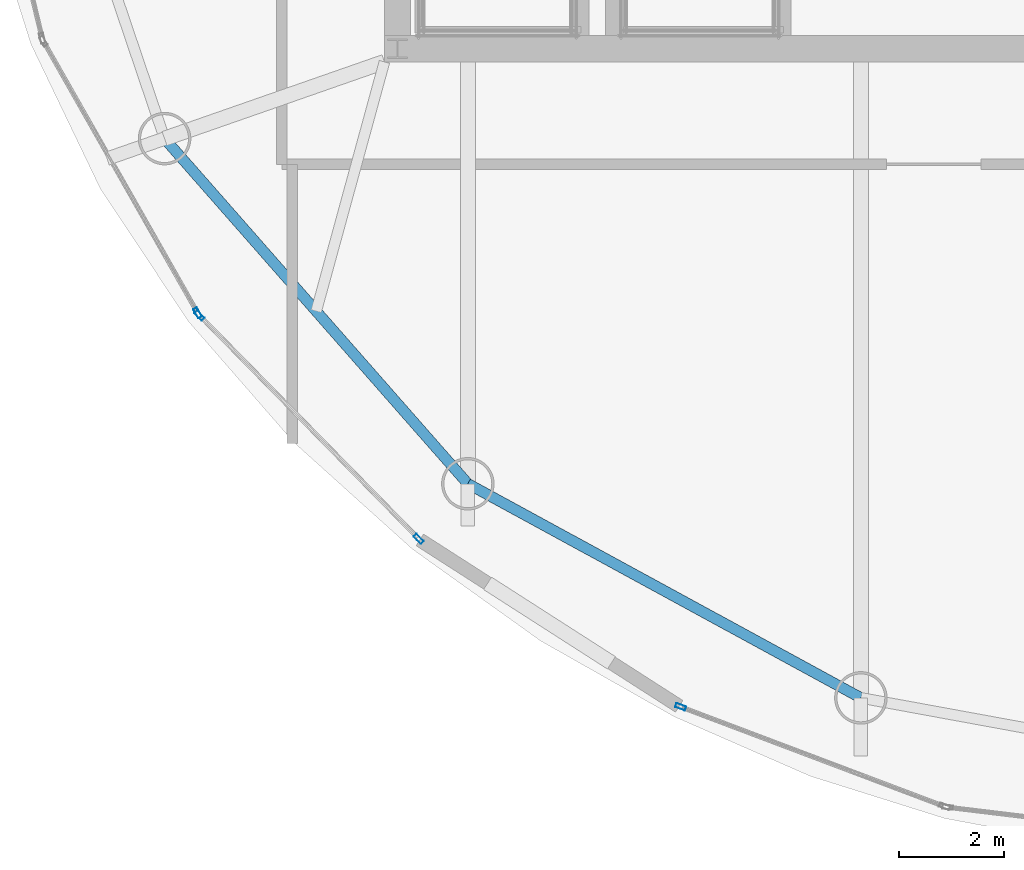
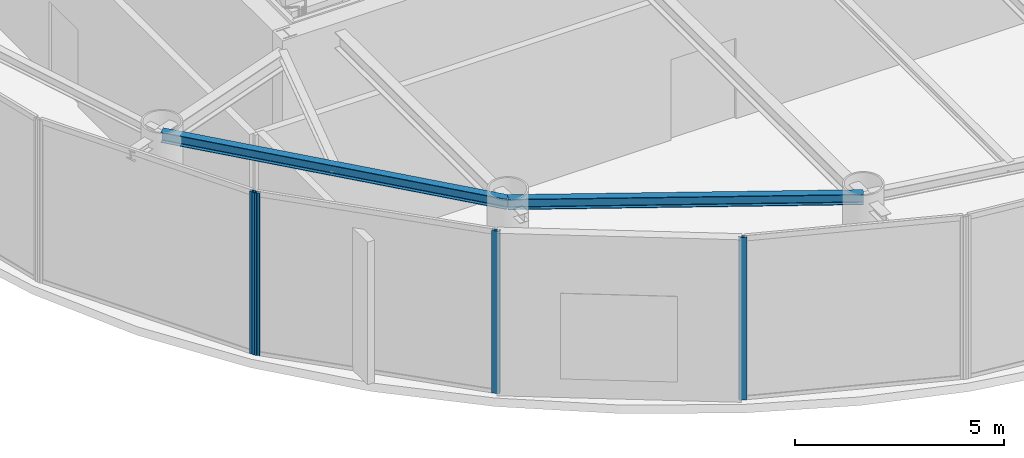
# One storey, part 3 of 23: 4 members, 2 beams, 3 elements without a shape of their own.
"""IFC4 building model written with IfcOpenShell, lengths in metres."""

from ifc_helpers import new_model, si_unit, direction, frame, origin, origin_2d, place, context, subcontext, project, spatial, hollow_rectangle, i_section, extrude, material, layer, layer_set, material_profile, profile_set, type_object, element, aggregate, save


model = new_model("IFC4")

# Units and contexts
model_context = context("Model", 3, precision=1e-05, world=origin(), true_north=direction((0.0, 1.0)))
body_context = subcontext(model_context, "Body", "Model", "MODEL_VIEW")
ifc_project = project(units=[si_unit("LENGTHUNIT", "METRE"), si_unit("AREAUNIT", "SQUARE_METRE"), si_unit("VOLUMEUNIT", "CUBIC_METRE"), si_unit("PLANEANGLEUNIT", "RADIAN"), si_unit("MASSUNIT", "GRAM", prefix="KILO")], contexts=[model_context])

# Site, building, storey
site_placement = place(None, origin())
site = spatial("IfcSite", under=ifc_project, at=site_placement, CompositionType="ELEMENT")
building_placement = place(site_placement, origin())
building = spatial("IfcBuilding", under=site, at=building_placement, Name="Bramvorn Convention Spire", CompositionType="ELEMENT")
storey_placement = place(building_placement, frame((0.0, 0.0, 307.5)))
storey = spatial("IfcBuildingStorey", under=building, at=storey_placement, Name="L78", CompositionType="ELEMENT", Elevation=307.5)

# Beams
ifc_material_1 = material(Name="Steel CSA G40.21 Grade 350 (350W)", Category="steel")
ifc_material_profile_1 = material_profile(ifc_material_1, i_section(OverallWidth=0.202880859375, OverallDepth=0.302978515625, WebThickness=0.007568359375, FlangeThickness=0.01318359375, FilletRadius=0.013916015625, at=origin_2d()))
ifc_profile_set_1 = profile_set([ifc_material_profile_1], Name="Steel CSA G40.21 Grade 350 (350W) - W310X60")
beam_type = type_object("IfcBeamType", Name="BM-W310X60", PredefinedType="JOIST", material=ifc_profile_set_1)
beam_1_placement = place(storey_placement, frame((22.5673828125, 17.090087890625, 4.598388671875), z_axis=(0.660073062339, -0.751201405999, 0.0), x_axis=(0.751201405999, 0.660073062339, 0.0)))
element("IfcBeam", 1, at=beam_1_placement, inside=storey, type_object=beam_type, Name="L78 mega-column ring beam 13", PredefinedType="JOIST", context=body_context, shape_type="SweptSolid", body=[
    extrude(i_section(OverallWidth=0.202880859375, OverallDepth=0.302978515625, WebThickness=0.007568359375, FlangeThickness=0.01318359375, FilletRadius=0.013916015625, at=origin_2d()), origin(), (0.0, 0.0, 1.0), 8.741943359375),
])
beam_2_placement = place(storey_placement, frame((28.337646484375, 10.523193359375, 4.598388671875), z_axis=(0.878133224771, -0.478416178189, 0.0), x_axis=(0.478416178189, 0.878133224771, 0.0)))
element("IfcBeam", 2, at=beam_2_placement, inside=storey, type_object=beam_type, Name="L78 mega-column ring beam 14", PredefinedType="JOIST", context=body_context, shape_type="SweptSolid", body=[
    extrude(i_section(OverallWidth=0.202880859375, OverallDepth=0.302978515625, WebThickness=0.007568359375, FlangeThickness=0.01318359375, FilletRadius=0.013916015625, at=origin_2d()), origin(), (0.0, 0.0, 1.0), 8.515625),
])

# Curtain wall, member
ifc_material_2 = material(Name="Anodised Bronze Unitised Curtain Wall", Category="aluminium")
ifc_layer = layer(ifc_material_2, 0.199951171875)
ifc_layer_set = layer_set([ifc_layer], Name="Anodised Bronze Unitised Curtain Wall - CW-PLANT-LOUVRE")
curtain_wall_type = type_object("IfcCurtainWallType", Name="CW-PLANT-LOUVRE", PredefinedType="USERDEFINED", material=ifc_layer_set)
curtain_wall_1_placement = place(storey_placement, origin())
curtain_wall_1 = element("IfcCurtainWall", 3, at=curtain_wall_1_placement, inside=storey, type_object=curtain_wall_type, Name="L78 fritted glass curtain wall 19", ObjectType="UNITISED CURTAIN WALL", PredefinedType="USERDEFINED")
ifc_material_3 = material(Name="Anodised Bronze Aluminium 6063-T6", Category="aluminium")
ifc_material_profile_2 = material_profile(ifc_material_3, hollow_rectangle(XDim=0.080078125, YDim=0.199951171875, WallThickness=0.00390625, InnerFilletRadius=0.0009765625, OuterFilletRadius=0.00390625, at=origin_2d()))
ifc_profile_set_2 = profile_set([ifc_material_profile_2], Name="Anodised Bronze Aluminium 6063-T6 - CWM80X200")
member_type = type_object("IfcMemberType", Name="CW-MUL-180", PredefinedType="MULLION", material=ifc_profile_set_2)
member_1_placement = place(storey_placement, frame((23.1962890625, 13.77392578125, 0.0), z_axis=(0.0, 0.0, 1.0), x_axis=(-0.869676062706, -0.493622878275, 0.0)))
member_1 = element("IfcMember", 4, at=member_1_placement, type_object=member_type, Name="CW5 mullion 1", PredefinedType="MULLION", context=body_context, shape_type="SweptSolid", body=[
    extrude(hollow_rectangle(XDim=0.080078125, YDim=0.199951171875, WallThickness=0.00390625, InnerFilletRadius=0.0009765625, OuterFilletRadius=0.00390625, at=origin_2d()), origin(), (0.0, 0.0, 1.0), 4.75),
])
aggregate(curtain_wall_1, [member_1])

# Curtain wall, members
curtain_wall_2_placement = place(storey_placement, origin())
curtain_wall_2 = element("IfcCurtainWall", 5, at=curtain_wall_2_placement, inside=storey, type_object=curtain_wall_type, Name="L78 fritted glass curtain wall 20", ObjectType="UNITISED CURTAIN WALL", PredefinedType="USERDEFINED")
member_2_placement = place(storey_placement, frame((27.403076171875, 9.476318359375, 0.0), z_axis=(0.0, 0.0, 1.0), x_axis=(-0.713709175592, -0.700442155125, 0.0)))
member_2 = element("IfcMember", 6, at=member_2_placement, type_object=member_type, Name="CW5 mullion 1", PredefinedType="MULLION", context=body_context, shape_type="SweptSolid", body=[
    extrude(hollow_rectangle(XDim=0.080078125, YDim=0.199951171875, WallThickness=0.00390625, InnerFilletRadius=0.0009765625, OuterFilletRadius=0.00390625, at=origin_2d()), origin(), (0.0, 0.0, 1.0), 4.75),
])
member_3_placement = place(storey_placement, frame((23.232177734375, 13.726318359375, 0.0), z_axis=(0.0, 0.0, 1.0), x_axis=(-0.713709175592, -0.700442155125, 0.0)))
member_3 = element("IfcMember", 7, at=member_3_placement, type_object=member_type, Name="CW5 mullion 2", PredefinedType="MULLION", context=body_context, shape_type="SweptSolid", body=[
    extrude(hollow_rectangle(XDim=0.080078125, YDim=0.199951171875, WallThickness=0.00390625, InnerFilletRadius=0.0009765625, OuterFilletRadius=0.00390625, at=origin_2d()), origin(), (0.0, 0.0, 1.0), 4.75),
])
aggregate(curtain_wall_2, [member_2, member_3])

# Curtain wall, member
curtain_wall_3_placement = place(storey_placement, origin())
curtain_wall_3 = element("IfcCurtainWall", 8, at=curtain_wall_3_placement, inside=storey, type_object=curtain_wall_type, Name="L78 fritted glass curtain wall 22", ObjectType="UNITISED CURTAIN WALL", PredefinedType="USERDEFINED")
member_4_placement = place(storey_placement, frame((32.385986328125, 6.279052734375, 0.0), z_axis=(0.0, 0.0, 1.0), x_axis=(-0.353264772427, -0.935523383226, 0.0)))
member_4 = element("IfcMember", 9, at=member_4_placement, type_object=member_type, Name="CW5 mullion 2", PredefinedType="MULLION", context=body_context, shape_type="SweptSolid", body=[
    extrude(hollow_rectangle(XDim=0.080078125, YDim=0.199951171875, WallThickness=0.00390625, InnerFilletRadius=0.0009765625, OuterFilletRadius=0.00390625, at=origin_2d()), origin(), (0.0, 0.0, 1.0), 4.75),
])
aggregate(curtain_wall_3, [member_4])

save(model, "model.ifc")
